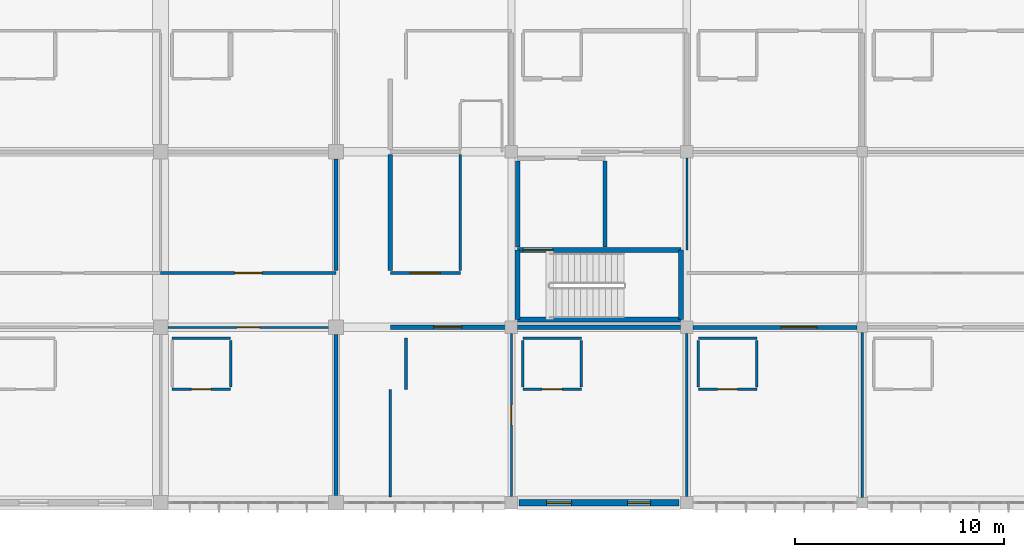
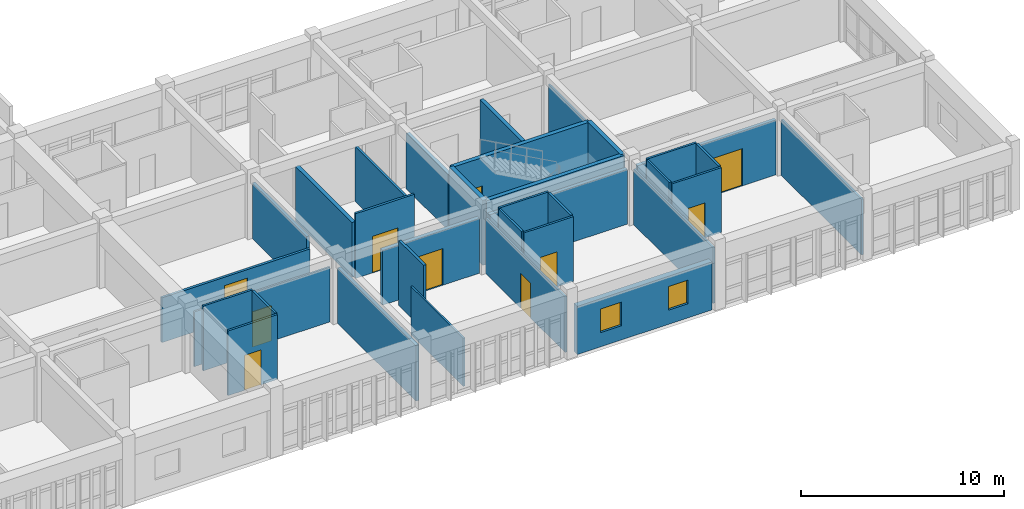
# One storey, part 95 of 119: 34 walls, 10 doors, 2 windows, 12 openings.
"""IFC4 building model written with IfcOpenShell, lengths in metres."""

from ifc_helpers import new_model, si_unit, direction, frame, frame_2d, origin, place, context, subcontext, project, spatial, rectangle, extrude, material, layer, layer_set, type_object, element, fill, save


model = new_model("IFC4")

# Units and contexts
model_context = context("Model", 3, precision=1e-05, world=origin(), true_north=direction((0.0, 1.0)))
body_context = subcontext(model_context, "Body", "Model", "MODEL_VIEW")
ifc_project = project(units=[si_unit("LENGTHUNIT", "METRE"), si_unit("AREAUNIT", "SQUARE_METRE"), si_unit("VOLUMEUNIT", "CUBIC_METRE"), si_unit("PLANEANGLEUNIT", "RADIAN"), si_unit("MASSUNIT", "GRAM", prefix="KILO")], contexts=[model_context])

# Site, building, storey
site_placement = place(None, origin())
site = spatial("IfcSite", under=ifc_project, at=site_placement, CompositionType="ELEMENT")
building_placement = place(site_placement, origin())
building = spatial("IfcBuilding", under=site, at=building_placement, Name="Bramfleet General Hospital", CompositionType="ELEMENT")
storey_placement = place(building_placement, frame((0.0, 0.0, 14.39990234375)))
storey = spatial("IfcBuildingStorey", under=building, at=storey_placement, Name="L03", CompositionType="ELEMENT", Elevation=14.39990234375)

# Wall, openings, windows
ifc_material_1 = material(Name="Precast concrete C40/50", Category="concrete")
ifc_layer_1 = layer(ifc_material_1, 0.31494140625, Name="WT-EW-04")
ifc_layer_set_1 = layer_set([ifc_layer_1], Name="Precast concrete C40/50")
wall_type_1 = type_object("IfcWallType", Name="WT-EW-04", PredefinedType="SOLIDWALL", material=ifc_layer_set_1)
wall_1_placement = place(storey_placement, frame((150.824951171875, 0.0, 0.0), z_axis=(0.0, 0.0, 1.0), x_axis=(-1.0, 0.0, 0.0)))
wall_1 = element("IfcWall", 1, at=wall_1_placement, inside=storey, type_object=wall_type_1, Name="L03 Exterior Wall 268", PredefinedType="SOLIDWALL", context=body_context, shape_type="SweptSolid", body=[
    extrude(rectangle(XDim=7.64990234375, YDim=0.31494140625, at=frame_2d((3.824951171875, 0.0))), origin(), (0.0, 0.0, 1.0), 2.89013671875),
])
opening_1_placement = place(wall_1_placement, frame((1.362548828125, 0.0, 0.85009765625)))
opening_1 = element("IfcOpeningElement", 2, at=opening_1_placement, cuts=wall_1, Name="Opening W-12", PredefinedType="OPENING", context=body_context, shape_type="SweptSolid", body=[
    extrude(rectangle(XDim=1.10009765625, YDim=1.419921875, at=frame_2d((0.550048828125, 0.7099609375))), frame((0.0, 0.16748046875, 0.0), z_axis=(0.0, -1.0, 0.0), x_axis=(1.0, 0.0, 0.0)), (0.0, 0.0, 1.0), 0.3349609375),
])
opening_2_placement = place(wall_1_placement, frame((5.137451171875, 0.0, 0.85009765625)))
opening_2 = element("IfcOpeningElement", 3, at=opening_2_placement, cuts=wall_1, Name="Opening W-13", PredefinedType="OPENING", context=body_context, shape_type="SweptSolid", body=[
    extrude(rectangle(XDim=1.199951171875, YDim=1.419921875, at=frame_2d((0.60009765625, 0.7099609375))), frame((0.0, 0.16748046875, 0.0), z_axis=(0.0, -1.0, 0.0), x_axis=(1.0, 0.0, 0.0)), (0.0, 0.0, 1.0), 0.3349609375),
])
ifc_material_2 = material(Name="Anodised aluminium and low-E triple glazing", Category="aluminium")
window_type_1 = type_object("IfcWindowType", Name="WIN-W-12", PartitioningType="SINGLE_PANEL", PredefinedType="WINDOW", material=ifc_material_2)
window_1_placement = place(opening_1_placement, origin())
window_1 = element("IfcWindow", 4, at=window_1_placement, inside=storey, type_object=window_type_1, Name="L03 Facade Window WIN-L03-268-1", OverallHeight=1.419921875, OverallWidth=1.10009765625, PartitioningType="SINGLE_PANEL", PredefinedType="WINDOW", context=body_context, shape_type="SweptSolid", body=[
    extrude(rectangle(XDim=1.10009765625, YDim=1.419921875, at=frame_2d((0.550048828125, 0.7099609375))), frame((0.0, 0.030029296875, 0.0), z_axis=(0.0, -1.0, 0.0), x_axis=(1.0, 0.0, 0.0)), (0.0, 0.0, 1.0), 0.06005859375),
])
fill(opening_1, window_1)
window_type_2 = type_object("IfcWindowType", Name="WIN-W-13", PartitioningType="SINGLE_PANEL", PredefinedType="WINDOW", material=ifc_material_2)
window_2_placement = place(opening_2_placement, origin())
window_2 = element("IfcWindow", 5, at=window_2_placement, inside=storey, type_object=window_type_2, Name="L03 Facade Window WIN-L03-268-2", OverallHeight=1.419921875, OverallWidth=1.199951171875, PartitioningType="SINGLE_PANEL", PredefinedType="WINDOW", context=body_context, shape_type="SweptSolid", body=[
    extrude(rectangle(XDim=1.199951171875, YDim=1.419921875, at=frame_2d((0.60009765625, 0.7099609375))), frame((0.0, 0.030029296875, 0.0), z_axis=(0.0, -1.0, 0.0), x_axis=(1.0, 0.0, 0.0)), (0.0, 0.0, 1.0), 0.06005859375),
])
fill(opening_2, window_2)

# Wall, opening, door
ifc_material_3 = material(Name="Concrete C35/45", Category="concrete")
ifc_layer_2 = layer(ifc_material_3, 0.219970703125, Name="WT-IW-01")
ifc_layer_set_2 = layer_set([ifc_layer_2], Name="Concrete C35/45")
wall_type_2 = type_object("IfcWallType", Name="WT-IW-01", PredefinedType="PARTITIONING", material=ifc_layer_set_2)
wall_2_placement = place(storey_placement, frame((137.0, 8.39990234375, 0.0), z_axis=(0.0, 0.0, 1.0), x_axis=(1.0, 0.0, 0.0)))
wall_2 = element("IfcWall", 6, at=wall_2_placement, inside=storey, type_object=wall_type_2, Name="L03 Interior Partition IW-L03-2473", PredefinedType="PARTITIONING", context=body_context, shape_type="SweptSolid", body=[
    extrude(rectangle(XDim=5.5048828125, YDim=0.219970703125, at=frame_2d((2.75244140625, 0.0))), origin(), (0.0, 0.0, 1.0), 3.2900390625),
])
opening_3_placement = place(wall_2_placement, frame((2.077392578125, 0.0, 0.0)))
opening_3 = element("IfcOpeningElement", 7, at=opening_3_placement, cuts=wall_2, Name="Opening D1186", PredefinedType="OPENING", context=body_context, shape_type="SweptSolid", body=[
    extrude(rectangle(XDim=1.35009765625, YDim=2.199951171875, at=frame_2d((0.675048828125, 1.10009765625))), frame((0.0, 0.119873046875, 0.0), z_axis=(0.0, -1.0, 0.0), x_axis=(1.0, 0.0, 0.0)), (0.0, 0.0, 1.0), 0.239990234375),
])
ifc_material_4 = material(Name="Stainless steel and acoustic timber leaf", Category="steel")
door_type_1 = type_object("IfcDoorType", Name="DR-D-02", OperationType="NOTDEFINED", PredefinedType="DOOR", material=ifc_material_4)
door_1_placement = place(opening_3_placement, origin())
door_1 = element("IfcDoor", 8, at=door_1_placement, inside=storey, type_object=door_type_1, Name="Paediatric Ward Bedroom L03-1600 Door D1186", OperationType="SINGLE_SWING_LEFT", OverallHeight=2.199951171875, OverallWidth=1.35009765625, PredefinedType="DOOR", context=body_context, shape_type="SweptSolid", body=[
    extrude(rectangle(XDim=1.35009765625, YDim=2.199951171875, at=frame_2d((0.675048828125, 1.10009765625))), frame((0.0, 0.02490234375, 0.0), z_axis=(0.0, -1.0, 0.0), x_axis=(1.0, 0.0, 0.0)), (0.0, 0.0, 1.0), 0.050048828125),
])
fill(opening_3, door_1)

# Walls
wall_3_placement = place(storey_placement, frame((137.0, 11.114990234375, 0.0), z_axis=(0.0, 0.0, 1.0), x_axis=(0.0, 1.0, 0.0)))
element("IfcWall", 9, at=wall_3_placement, inside=storey, type_object=wall_type_2, Name="L03 Interior Partition IW-L03-3025", PredefinedType="PARTITIONING", context=body_context, shape_type="SweptSolid", body=[
    extrude(rectangle(XDim=5.570068359375, YDim=0.219970703125, at=frame_2d((2.78515625, 0.0))), origin(), (0.0, 0.0, 1.0), 3.2900390625),
])
ifc_layer_3 = layer(ifc_material_3, 0.205078125, Name="WT-IW-02")
ifc_layer_set_3 = layer_set([ifc_layer_3], Name="Concrete C35/45")
wall_type_3 = type_object("IfcWallType", Name="WT-IW-02", PredefinedType="PARTITIONING", material=ifc_layer_set_3)
wall_4_placement = place(storey_placement, frame((147.280029296875, 12.239990234375, 0.0), z_axis=(0.0, 0.0, 1.0), x_axis=(0.0, 1.0, 0.0)))
element("IfcWall", 10, at=wall_4_placement, inside=storey, type_object=wall_type_3, Name="L03 C10 Lobby East Shaft Wall", PredefinedType="PARTITIONING", context=body_context, shape_type="SweptSolid", body=[
    extrude(rectangle(XDim=4.1201171875, YDim=0.205078125, at=frame_2d((2.06005859375, 0.0))), origin(), (0.0, 0.0, 1.0), 3.89013671875),
])
wall_5_placement = place(storey_placement, frame((143.10009765625, 12.239990234375, 0.0), z_axis=(0.0, 0.0, 1.0), x_axis=(0.0, 1.0, 0.0)))
element("IfcWall", 11, at=wall_5_placement, inside=storey, type_object=wall_type_3, Name="L03 C10 Lobby West Compartment Wall", PredefinedType="PARTITIONING", context=body_context, shape_type="SweptSolid", body=[
    extrude(rectangle(XDim=4.1201171875, YDim=0.205078125, at=frame_2d((2.06005859375, 0.0))), origin(), (0.0, 0.0, 1.0), 3.340087890625),
])
wall_6_placement = place(storey_placement, frame((143.094970703125, 8.39990234375, 0.0), z_axis=(0.0, 0.0, 1.0), x_axis=(1.0, 0.0, 0.0)))
element("IfcWall", 12, at=wall_6_placement, inside=storey, type_object=wall_type_3, Name="L03 Interior Partition IW-L03-2474", PredefinedType="PARTITIONING", context=body_context, shape_type="SweptSolid", body=[
    extrude(rectangle(XDim=7.81005859375, YDim=0.205078125, at=frame_2d((3.905029296875, 0.0))), origin(), (0.0, 0.0, 1.0), 3.2900390625),
])

# Wall, opening, door
ifc_layer_4 = layer(ifc_material_3, 0.18994140625, Name="WT-IW-03")
ifc_layer_set_4 = layer_set([ifc_layer_4], Name="Concrete C35/45")
wall_type_4 = type_object("IfcWallType", Name="WT-IW-03", PredefinedType="PARTITIONING", material=ifc_layer_set_4)
wall_7_placement = place(storey_placement, frame((151.4951171875, 8.39990234375, 0.0), z_axis=(0.0, 0.0, 1.0), x_axis=(1.0, 0.0, 0.0)))
wall_7 = element("IfcWall", 13, at=wall_7_placement, inside=storey, type_object=wall_type_4, Name="L03 Interior Partition IW-L03-2475", PredefinedType="PARTITIONING", context=body_context, shape_type="SweptSolid", body=[
    extrude(rectangle(XDim=7.85986328125, YDim=0.18994140625, at=frame_2d((3.929931640625, 0.0))), origin(), (0.0, 0.0, 1.0), 3.2900390625),
])
opening_4_placement = place(wall_7_placement, frame((4.202880859375, 0.0, 0.0)))
opening_4 = element("IfcOpeningElement", 14, at=opening_4_placement, cuts=wall_7, Name="Opening D1203", PredefinedType="OPENING", context=body_context, shape_type="SweptSolid", body=[
    extrude(rectangle(XDim=1.739990234375, YDim=2.239990234375, at=frame_2d((0.8701171875, 1.1201171875))), frame((0.0, 0.10498046875, 0.0), z_axis=(0.0, -1.0, 0.0), x_axis=(1.0, 0.0, 0.0)), (0.0, 0.0, 1.0), 0.2099609375),
])
door_type_2 = type_object("IfcDoorType", Name="DR-D-19", OperationType="NOTDEFINED", PredefinedType="DOOR", material=ifc_material_4)
door_2_placement = place(opening_4_placement, origin())
door_2 = element("IfcDoor", 15, at=door_2_placement, inside=storey, type_object=door_type_2, Name="Paediatric Ward Bedroom L03-1800 Door D1203", OperationType="DOUBLE_SWING_RIGHT", OverallHeight=2.239990234375, OverallWidth=1.739990234375, PredefinedType="DOOR", context=body_context, shape_type="SweptSolid", body=[
    extrude(rectangle(XDim=1.739990234375, YDim=2.239990234375, at=frame_2d((0.8701171875, 1.1201171875))), frame((0.0, 0.02490234375, 0.0), z_axis=(0.0, -1.0, 0.0), x_axis=(1.0, 0.0, 0.0)), (0.0, 0.0, 1.0), 0.050048828125),
])
fill(opening_4, door_2)

# Walls
ifc_layer_5 = layer(ifc_material_3, 0.179931640625, Name="WT-IW-04")
ifc_layer_set_5 = layer_set([ifc_layer_5], Name="Concrete C35/45")
wall_type_5 = type_object("IfcWallType", Name="WT-IW-04", PredefinedType="PARTITIONING", material=ifc_layer_set_5)
wall_8_placement = place(storey_placement, frame((134.39990234375, 0.344970703125, 0.0), z_axis=(0.0, 0.0, 1.0), x_axis=(0.0, 1.0, 0.0)))
element("IfcWall", 16, at=wall_8_placement, inside=storey, type_object=wall_type_5, Name="L03 Interior Partition IW-L03-3016", PredefinedType="PARTITIONING", context=body_context, shape_type="SweptSolid", body=[
    extrude(rectangle(XDim=7.7099609375, YDim=0.179931640625, at=frame_2d((3.85498046875, 0.0))), origin(), (0.0, 0.0, 1.0), 3.340087890625),
])
ifc_material_5 = material(Name="Gypsum plasterboard on acoustic steel studs", Category="steel")
ifc_layer_6 = layer(ifc_material_5, 0.169921875, Name="WT-IW-05")
ifc_layer_set_6 = layer_set([ifc_layer_6], Name="Gypsum plasterboard on acoustic steel studs")
wall_type_6 = type_object("IfcWallType", Name="WT-IW-05", PredefinedType="PARTITIONING", material=ifc_layer_set_6)
wall_9_placement = place(storey_placement, frame((134.39990234375, 11.114990234375, 0.0), z_axis=(0.0, 0.0, 1.0), x_axis=(0.0, 1.0, 0.0)))
element("IfcWall", 17, at=wall_9_placement, inside=storey, type_object=wall_type_6, Name="L03 Interior Partition IW-L03-3017", PredefinedType="PARTITIONING", context=body_context, shape_type="SweptSolid", body=[
    extrude(rectangle(XDim=5.340087890625, YDim=0.169921875, at=frame_2d((2.669921875, 0.0))), origin(), (0.0, 0.0, 1.0), 3.340087890625),
])
ifc_layer_7 = layer(ifc_material_5, 0.14990234375, Name="WT-IW-07")
ifc_layer_set_7 = layer_set([ifc_layer_7], Name="Gypsum plasterboard on acoustic steel studs")
wall_type_7 = type_object("IfcWallType", Name="WT-IW-07", PredefinedType="PARTITIONING", material=ifc_layer_set_7)
wall_10_placement = place(storey_placement, frame((137.75, 5.429931640625, 0.0), z_axis=(0.0, 0.0, 1.0), x_axis=(0.0, 1.0, 0.0)))
element("IfcWall", 18, at=wall_10_placement, inside=storey, type_object=wall_type_7, Name="L03 Interior Partition IW-L03-3031", PredefinedType="PARTITIONING", context=body_context, shape_type="SweptSolid", body=[
    extrude(rectangle(XDim=2.449951171875, YDim=0.14990234375, at=frame_2d((1.22509765625, 0.0))), origin(), (0.0, 0.0, 1.0), 3.89013671875),
])

# Wall, opening, door
ifc_layer_8 = layer(ifc_material_5, 0.139892578125, Name="WT-IW-08")
ifc_layer_set_8 = layer_set([ifc_layer_8], Name="Gypsum plasterboard on acoustic steel studs")
wall_type_8 = type_object("IfcWallType", Name="WT-IW-08", PredefinedType="PARTITIONING", material=ifc_layer_set_8)
wall_11_placement = place(storey_placement, frame((126.0, 11.0, 0.0), z_axis=(0.0, 0.0, 1.0), x_axis=(1.0, 0.0, 0.0)))
wall_11 = element("IfcWall", 19, at=wall_11_placement, inside=storey, type_object=wall_type_8, Name="L03 Interior Partition IW-L03-2480", PredefinedType="PARTITIONING", context=body_context, shape_type="SweptSolid", body=[
    extrude(rectangle(XDim=8.39990234375, YDim=0.139892578125, at=frame_2d((4.199951171875, 0.0))), origin(), (0.0, 0.0, 1.0), 2.690185546875),
])
opening_5_placement = place(wall_11_placement, frame((3.5400390625, 0.0, 0.0)))
opening_5 = element("IfcOpeningElement", 20, at=opening_5_placement, cuts=wall_11, Name="Opening D1176", PredefinedType="OPENING", context=body_context, shape_type="SweptSolid", body=[
    extrude(rectangle(XDim=1.320068359375, YDim=2.179931640625, at=frame_2d((0.66015625, 1.08984375))), frame((0.0, 0.079833984375, 0.0), z_axis=(0.0, -1.0, 0.0), x_axis=(1.0, 0.0, 0.0)), (0.0, 0.0, 1.0), 0.159912109375),
])
door_type_3 = type_object("IfcDoorType", Name="DR-D-24", OperationType="NOTDEFINED", PredefinedType="DOOR", material=ifc_material_4)
door_3_placement = place(opening_5_placement, origin())
door_3 = element("IfcDoor", 21, at=door_3_placement, inside=storey, type_object=door_type_3, Name="Paediatric Nurse Station and Play Lounge L03-1501 Door D1176", OperationType="SINGLE_SWING_LEFT", OverallHeight=2.179931640625, OverallWidth=1.320068359375, PredefinedType="DOOR", context=body_context, shape_type="SweptSolid", body=[
    extrude(rectangle(XDim=1.320068359375, YDim=2.179931640625, at=frame_2d((0.66015625, 1.08984375))), frame((0.0, 0.02490234375, 0.0), z_axis=(0.0, -1.0, 0.0), x_axis=(1.0, 0.0, 0.0)), (0.0, 0.0, 1.0), 0.050048828125),
])
fill(opening_5, door_3)

ifc_layer_9 = layer(ifc_material_5, 0.1298828125, Name="WT-IW-09")
ifc_layer_set_9 = layer_set([ifc_layer_9], Name="Gypsum plasterboard on acoustic steel studs")
wall_type_9 = type_object("IfcWallType", Name="WT-IW-09", PredefinedType="PARTITIONING", material=ifc_layer_set_9)
wall_12_placement = place(storey_placement, frame((137.0, 11.0, 0.0), z_axis=(0.0, 0.0, 1.0), x_axis=(1.0, 0.0, 0.0)))
wall_12 = element("IfcWall", 22, at=wall_12_placement, inside=storey, type_object=wall_type_9, Name="L03 Interior Partition IW-L03-2481", PredefinedType="PARTITIONING", context=body_context, shape_type="SweptSolid", body=[
    extrude(rectangle(XDim=3.35009765625, YDim=0.1298828125, at=frame_2d((1.675048828125, 0.0))), origin(), (0.0, 0.0, 1.0), 3.89013671875),
])
opening_6_placement = place(wall_12_placement, frame((0.949951171875, 0.0, 0.0)))
opening_6 = element("IfcOpeningElement", 23, at=opening_6_placement, cuts=wall_12, Name="Opening D1187", PredefinedType="OPENING", context=body_context, shape_type="SweptSolid", body=[
    extrude(rectangle(XDim=1.449951171875, YDim=2.199951171875, at=frame_2d((0.72509765625, 1.10009765625))), frame((0.0, 0.074951171875, 0.0), z_axis=(0.0, -1.0, 0.0), x_axis=(1.0, 0.0, 0.0)), (0.0, 0.0, 1.0), 0.14990234375),
])
door_type_4 = type_object("IfcDoorType", Name="DR-D-03", OperationType="NOTDEFINED", PredefinedType="DOOR", material=ifc_material_4)
door_4_placement = place(opening_6_placement, origin())
door_4 = element("IfcDoor", 24, at=door_4_placement, inside=storey, type_object=door_type_4, Name="Paediatric Nurse Station and Play Lounge L03-1601 Door D1187", OperationType="SINGLE_SWING_RIGHT", OverallHeight=2.199951171875, OverallWidth=1.449951171875, PredefinedType="DOOR", context=body_context, shape_type="SweptSolid", body=[
    extrude(rectangle(XDim=1.449951171875, YDim=2.199951171875, at=frame_2d((0.72509765625, 1.10009765625))), frame((0.0, 0.02490234375, 0.0), z_axis=(0.0, -1.0, 0.0), x_axis=(1.0, 0.0, 0.0)), (0.0, 0.0, 1.0), 0.050048828125),
])
fill(opening_6, door_4)

# Wall
wall_13_placement = place(storey_placement, frame((140.35009765625, 11.114990234375, 0.0), z_axis=(0.0, 0.0, 1.0), x_axis=(0.0, 1.0, 0.0)))
element("IfcWall", 25, at=wall_13_placement, inside=storey, type_object=wall_type_9, Name="L03 Interior Partition IW-L03-3033", PredefinedType="PARTITIONING", context=body_context, shape_type="SweptSolid", body=[
    extrude(rectangle(XDim=5.570068359375, YDim=0.1298828125, at=frame_2d((2.78515625, 0.0))), origin(), (0.0, 0.0, 1.0), 3.2900390625),
])

# Wall, opening, door
ifc_layer_10 = layer(ifc_material_5, 0.1201171875, Name="WT-IW-10")
ifc_layer_set_10 = layer_set([ifc_layer_10], Name="Gypsum plasterboard on acoustic steel studs")
wall_type_10 = type_object("IfcWallType", Name="WT-IW-10", PredefinedType="PARTITIONING", material=ifc_layer_set_10)
wall_14_placement = place(storey_placement, frame((126.550048828125, 5.429931640625, 0.0), z_axis=(0.0, 0.0, 1.0), x_axis=(1.0, 0.0, 0.0)))
wall_14 = element("IfcWall", 26, at=wall_14_placement, inside=storey, type_object=wall_type_10, Name="L03 Interior Partition IW-L03-2457", PredefinedType="PARTITIONING", context=body_context, shape_type="SweptSolid", body=[
    extrude(rectangle(XDim=2.800048828125, YDim=0.1201171875, at=frame_2d((1.39990234375, 0.0))), origin(), (0.0, 0.0, 1.0), 3.89013671875),
])
opening_7_placement = place(wall_14_placement, frame((0.925048828125, 0.0, 0.0)))
opening_7 = element("IfcOpeningElement", 27, at=opening_7_placement, cuts=wall_14, Name="Opening D1175", PredefinedType="OPENING", context=body_context, shape_type="SweptSolid", body=[
    extrude(rectangle(XDim=0.949951171875, YDim=2.10009765625, at=frame_2d((0.47509765625, 1.050048828125))), frame((0.0, 0.070068359375, 0.0), z_axis=(0.0, -1.0, 0.0), x_axis=(1.0, 0.0, 0.0)), (0.0, 0.0, 1.0), 0.14013671875),
])
door_type_5 = type_object("IfcDoorType", Name="DR-D-10", OperationType="NOTDEFINED", PredefinedType="DOOR", material=ifc_material_4)
door_5_placement = place(opening_7_placement, origin())
door_5 = element("IfcDoor", 28, at=door_5_placement, inside=storey, type_object=door_type_5, Name="Paediatric En-Suite Bathroom L03-1500 Door D1175", OperationType="SINGLE_SWING_LEFT", OverallHeight=2.10009765625, OverallWidth=0.949951171875, PredefinedType="DOOR", context=body_context, shape_type="SweptSolid", body=[
    extrude(rectangle(XDim=0.949951171875, YDim=2.10009765625, at=frame_2d((0.47509765625, 1.050048828125))), frame((0.0, 0.02490234375, 0.0), z_axis=(0.0, -1.0, 0.0), x_axis=(1.0, 0.0, 0.0)), (0.0, 0.0, 1.0), 0.050048828125),
])
fill(opening_7, door_5)

wall_15_placement = place(storey_placement, frame((143.35009765625, 5.429931640625, 0.0), z_axis=(0.0, 0.0, 1.0), x_axis=(1.0, 0.0, 0.0)))
wall_15 = element("IfcWall", 29, at=wall_15_placement, inside=storey, type_object=wall_type_10, Name="L03 Interior Partition IW-L03-2458", PredefinedType="PARTITIONING", context=body_context, shape_type="SweptSolid", body=[
    extrude(rectangle(XDim=2.7998046875, YDim=0.1201171875, at=frame_2d((1.39990234375, 0.0))), origin(), (0.0, 0.0, 1.0), 3.89013671875),
])
opening_8_placement = place(wall_15_placement, frame((0.925048828125, 0.0, 0.0)))
opening_8 = element("IfcOpeningElement", 30, at=opening_8_placement, cuts=wall_15, Name="Opening D1195", PredefinedType="OPENING", context=body_context, shape_type="SweptSolid", body=[
    extrude(rectangle(XDim=0.949951171875, YDim=2.10009765625, at=frame_2d((0.47509765625, 1.050048828125))), frame((0.0, 0.070068359375, 0.0), z_axis=(0.0, -1.0, 0.0), x_axis=(1.0, 0.0, 0.0)), (0.0, 0.0, 1.0), 0.14013671875),
])
door_6_placement = place(opening_8_placement, origin())
door_6 = element("IfcDoor", 31, at=door_6_placement, inside=storey, type_object=door_type_5, Name="Paediatric En-Suite Bathroom L03-1700 Door D1195", OperationType="SINGLE_SWING_LEFT", OverallHeight=2.10009765625, OverallWidth=0.949951171875, PredefinedType="DOOR", context=body_context, shape_type="SweptSolid", body=[
    extrude(rectangle(XDim=0.949951171875, YDim=2.10009765625, at=frame_2d((0.47509765625, 1.050048828125))), frame((0.0, 0.02490234375, 0.0), z_axis=(0.0, -1.0, 0.0), x_axis=(1.0, 0.0, 0.0)), (0.0, 0.0, 1.0), 0.050048828125),
])
fill(opening_8, door_6)

wall_16_placement = place(storey_placement, frame((151.75, 5.429931640625, 0.0), z_axis=(0.0, 0.0, 1.0), x_axis=(1.0, 0.0, 0.0)))
wall_16 = element("IfcWall", 32, at=wall_16_placement, inside=storey, type_object=wall_type_10, Name="L03 Interior Partition IW-L03-2459", PredefinedType="PARTITIONING", context=body_context, shape_type="SweptSolid", body=[
    extrude(rectangle(XDim=2.800048828125, YDim=0.1201171875, at=frame_2d((1.39990234375, 0.0))), origin(), (0.0, 0.0, 1.0), 3.89013671875),
])
opening_9_placement = place(wall_16_placement, frame((0.925048828125, 0.0, 0.0)))
opening_9 = element("IfcOpeningElement", 33, at=opening_9_placement, cuts=wall_16, Name="Opening D1204", PredefinedType="OPENING", context=body_context, shape_type="SweptSolid", body=[
    extrude(rectangle(XDim=0.949951171875, YDim=2.10009765625, at=frame_2d((0.47509765625, 1.050048828125))), frame((0.0, 0.070068359375, 0.0), z_axis=(0.0, -1.0, 0.0), x_axis=(1.0, 0.0, 0.0)), (0.0, 0.0, 1.0), 0.14013671875),
])
door_7_placement = place(opening_9_placement, origin())
door_7 = element("IfcDoor", 34, at=door_7_placement, inside=storey, type_object=door_type_5, Name="Paediatric En-Suite Bathroom L03-1800 Door D1204", OperationType="SINGLE_SWING_LEFT", OverallHeight=2.10009765625, OverallWidth=0.949951171875, PredefinedType="DOOR", context=body_context, shape_type="SweptSolid", body=[
    extrude(rectangle(XDim=0.949951171875, YDim=2.10009765625, at=frame_2d((0.47509765625, 1.050048828125))), frame((0.0, 0.02490234375, 0.0), z_axis=(0.0, -1.0, 0.0), x_axis=(1.0, 0.0, 0.0)), (0.0, 0.0, 1.0), 0.050048828125),
])
fill(opening_9, door_7)

# Walls
wall_17_placement = place(storey_placement, frame((126.550048828125, 7.8798828125, 0.0), z_axis=(0.0, 0.0, 1.0), x_axis=(1.0, 0.0, 0.0)))
element("IfcWall", 35, at=wall_17_placement, inside=storey, type_object=wall_type_10, Name="L03 Interior Partition IW-L03-2464", PredefinedType="PARTITIONING", context=body_context, shape_type="SweptSolid", body=[
    extrude(rectangle(XDim=2.800048828125, YDim=0.1201171875, at=frame_2d((1.39990234375, 0.0))), origin(), (0.0, 0.0, 1.0), 3.89013671875),
])
wall_18_placement = place(storey_placement, frame((143.35009765625, 7.8798828125, 0.0), z_axis=(0.0, 0.0, 1.0), x_axis=(1.0, 0.0, 0.0)))
element("IfcWall", 36, at=wall_18_placement, inside=storey, type_object=wall_type_10, Name="L03 Interior Partition IW-L03-2465", PredefinedType="PARTITIONING", context=body_context, shape_type="SweptSolid", body=[
    extrude(rectangle(XDim=2.7998046875, YDim=0.1201171875, at=frame_2d((1.39990234375, 0.0))), origin(), (0.0, 0.0, 1.0), 3.89013671875),
])
wall_19_placement = place(storey_placement, frame((151.75, 7.8798828125, 0.0), z_axis=(0.0, 0.0, 1.0), x_axis=(1.0, 0.0, 0.0)))
element("IfcWall", 37, at=wall_19_placement, inside=storey, type_object=wall_type_10, Name="L03 Interior Partition IW-L03-2466", PredefinedType="PARTITIONING", context=body_context, shape_type="SweptSolid", body=[
    extrude(rectangle(XDim=2.800048828125, YDim=0.1201171875, at=frame_2d((1.39990234375, 0.0))), origin(), (0.0, 0.0, 1.0), 3.89013671875),
])
for number, where, z_axis, x_axis, name in (
    (38, (129.35009765625, 5.544921875, 0.0), (0.0, 0.0, 1.0), (0.0, 1.0, 0.0), "L03 Interior Partition IW-L03-3012"),
    (39, (143.35009765625, 5.544921875, 0.0), (0.0, 0.0, 1.0), (0.0, 1.0, 0.0), "L03 Interior Partition IW-L03-3043"),
    (40, (146.14990234375, 5.544921875, 0.0), (0.0, 0.0, 1.0), (0.0, 1.0, 0.0), "L03 Interior Partition IW-L03-3045"),
    (41, (151.75, 5.544921875, 0.0), (0.0, 0.0, 1.0), (0.0, 1.0, 0.0), "L03 Interior Partition IW-L03-3055"),
    (42, (154.550048828125, 5.544921875, 0.0), (0.0, 0.0, 1.0), (0.0, 1.0, 0.0), "L03 Interior Partition IW-L03-3057"),
):
    element("IfcWall", number, at=place(storey_placement, frame(where, z_axis=z_axis, x_axis=x_axis)), inside=storey, type_object=wall_type_10, Name=name, PredefinedType="PARTITIONING", context=body_context, shape_type="SweptSolid", body=[
        extrude(rectangle(XDim=2.219970703125, YDim=0.1201171875, at=frame_2d((1.10986328125, 0.0))), origin(), (0.0, 0.0, 1.0), 3.89013671875),
    ])
ifc_layer_11 = layer(ifc_material_5, 0.112060546875, Name="WT-IW-11")
ifc_layer_set_11 = layer_set([ifc_layer_11], Name="Gypsum plasterboard on acoustic steel studs")
wall_type_11 = type_object("IfcWallType", Name="WT-IW-11", PredefinedType="PARTITIONING", material=ifc_layer_set_11)
wall_20_placement = place(storey_placement, frame((151.199951171875, 0.294921875, 0.0), z_axis=(0.0, 0.0, 1.0), x_axis=(0.0, 1.0, 0.0)))
element("IfcWall", 43, at=wall_20_placement, inside=storey, type_object=wall_type_11, Name="L03 Interior Partition IW-L03-3047", PredefinedType="PARTITIONING", context=body_context, shape_type="SweptSolid", body=[
    extrude(rectangle(XDim=7.81005859375, YDim=0.112060546875, at=frame_2d((3.905029296875, 0.0))), origin(), (0.0, 0.0, 1.0), 3.340087890625),
])
wall_21_placement = place(storey_placement, frame((159.60009765625, 0.2451171875, 0.0), z_axis=(0.0, 0.0, 1.0), x_axis=(0.0, 1.0, 0.0)))
element("IfcWall", 44, at=wall_21_placement, inside=storey, type_object=wall_type_11, Name="L03 Interior Partition IW-L03-3059", PredefinedType="PARTITIONING", context=body_context, shape_type="SweptSolid", body=[
    extrude(rectangle(XDim=7.909912109375, YDim=0.112060546875, at=frame_2d((3.955078125, 0.0))), origin(), (0.0, 0.0, 1.0), 3.340087890625),
])

# Wall, opening, door
ifc_layer_12 = layer(ifc_material_5, 0.10009765625, Name="WT-IW-12")
ifc_layer_set_12 = layer_set([ifc_layer_12], Name="Gypsum plasterboard on acoustic steel studs")
wall_type_12 = type_object("IfcWallType", Name="WT-IW-12", PredefinedType="PARTITIONING", material=ifc_layer_set_12)
wall_22_placement = place(storey_placement, frame((126.344970703125, 8.39990234375, 0.0), z_axis=(0.0, 0.0, 1.0), x_axis=(1.0, 0.0, 0.0)))
wall_22 = element("IfcWall", 45, at=wall_22_placement, inside=storey, type_object=wall_type_12, Name="L03 Interior Partition IW-L03-2472", PredefinedType="PARTITIONING", context=body_context, shape_type="SweptSolid", body=[
    extrude(rectangle(XDim=7.7099609375, YDim=0.10009765625, at=frame_2d((3.85498046875, 0.0))), origin(), (0.0, 0.0, 1.0), 3.2900390625),
])
opening_10_placement = place(wall_22_placement, frame((3.31494140625, 0.0, 0.0)))
opening_10 = element("IfcOpeningElement", 46, at=opening_10_placement, cuts=wall_22, Name="Opening D1174", PredefinedType="OPENING", context=body_context, shape_type="SweptSolid", body=[
    extrude(rectangle(XDim=1.080078125, YDim=2.1201171875, at=frame_2d((0.5400390625, 1.06005859375))), frame((0.0, 0.06005859375, 0.0), z_axis=(0.0, -1.0, 0.0), x_axis=(1.0, 0.0, 0.0)), (0.0, 0.0, 1.0), 0.1201171875),
])
door_type_6 = type_object("IfcDoorType", Name="DR-D-22", OperationType="NOTDEFINED", PredefinedType="DOOR", material=ifc_material_4)
door_8_placement = place(opening_10_placement, origin())
door_8 = element("IfcDoor", 47, at=door_8_placement, inside=storey, type_object=door_type_6, Name="Paediatric Ward Bedroom L03-1500 Door D1174", OperationType="SINGLE_SWING_LEFT", OverallHeight=2.1201171875, OverallWidth=1.080078125, PredefinedType="DOOR", context=body_context, shape_type="SweptSolid", body=[
    extrude(rectangle(XDim=1.080078125, YDim=2.1201171875, at=frame_2d((0.5400390625, 1.06005859375))), frame((0.0, 0.02490234375, 0.0), z_axis=(0.0, -1.0, 0.0), x_axis=(1.0, 0.0, 0.0)), (0.0, 0.0, 1.0), 0.050048828125),
])
fill(opening_10, door_8)

# Wall
wall_23_placement = place(storey_placement, frame((137.0, 0.280029296875, 0.0), z_axis=(0.0, 0.0, 1.0), x_axis=(0.0, 1.0, 0.0)))
element("IfcWall", 48, at=wall_23_placement, inside=storey, type_object=wall_type_12, Name="L03 Interior Partition IW-L03-3024", PredefinedType="PARTITIONING", context=body_context, shape_type="SweptSolid", body=[
    extrude(rectangle(XDim=5.14990234375, YDim=0.10009765625, at=frame_2d((2.574951171875, 0.0))), origin(), (0.0, 0.0, 1.0), 2.89013671875),
])

# Wall, opening, door
wall_24_placement = place(storey_placement, frame((142.800048828125, 0.294921875, 0.0), z_axis=(0.0, 0.0, 1.0), x_axis=(0.0, 1.0, 0.0)))
wall_24 = element("IfcWall", 49, at=wall_24_placement, inside=storey, type_object=wall_type_12, Name="L03 Interior Partition IW-L03-3036", PredefinedType="PARTITIONING", context=body_context, shape_type="SweptSolid", body=[
    extrude(rectangle(XDim=7.81005859375, YDim=0.10009765625, at=frame_2d((3.905029296875, 0.0))), origin(), (0.0, 0.0, 1.0), 3.340087890625),
])
opening_11_placement = place(wall_24_placement, frame((3.429931640625, 0.0, 0.0)))
opening_11 = element("IfcOpeningElement", 50, at=opening_11_placement, cuts=wall_24, Name="Opening D1194", PredefinedType="OPENING", context=body_context, shape_type="SweptSolid", body=[
    extrude(rectangle(XDim=0.949951171875, YDim=2.10009765625, at=frame_2d((0.47509765625, 1.050048828125))), frame((0.0, 0.06005859375, 0.0), z_axis=(0.0, -1.0, 0.0), x_axis=(1.0, 0.0, 0.0)), (0.0, 0.0, 1.0), 0.1201171875),
])
door_9_placement = place(opening_11_placement, origin())
door_9 = element("IfcDoor", 51, at=door_9_placement, inside=storey, type_object=door_type_5, Name="Paediatric Ward Bedroom L03-1700 Door D1194", OperationType="SINGLE_SWING_LEFT", OverallHeight=2.10009765625, OverallWidth=0.949951171875, PredefinedType="DOOR", context=body_context, shape_type="SweptSolid", body=[
    extrude(rectangle(XDim=0.949951171875, YDim=2.10009765625, at=frame_2d((0.47509765625, 1.050048828125))), frame((0.0, 0.02490234375, 0.0), z_axis=(0.0, -1.0, 0.0), x_axis=(1.0, 0.0, 0.0)), (0.0, 0.0, 1.0), 0.050048828125),
])
fill(opening_11, door_9)

# Walls
wall_25_placement = place(storey_placement, frame((151.199951171875, 12.10009765625, 0.0), z_axis=(0.0, 0.0, 1.0), x_axis=(0.0, 1.0, 0.0)))
element("IfcWall", 52, at=wall_25_placement, inside=storey, type_object=wall_type_12, Name="L03 Interior Partition IW-L03-3048", PredefinedType="PARTITIONING", context=body_context, shape_type="SweptSolid", body=[
    extrude(rectangle(XDim=4.40478515625, YDim=0.10009765625, at=frame_2d((2.202392578125, 0.0))), origin(), (0.0, 0.0, 1.0), 3.340087890625),
])
ifc_material_6 = material(Name="Concrete C40/50", Category="concrete")
ifc_layer_13 = layer(ifc_material_6, 0.239990234375, Name="WT-SW-240")
ifc_layer_set_13 = layer_set([ifc_layer_13], Name="Concrete C40/50")
wall_type_13 = type_object("IfcWallType", Name="WT-SW-240", PredefinedType="SHEAR", material=ifc_layer_set_13)
wall_26_placement = place(storey_placement, frame((143.10009765625, 8.780029296875, 0.0), z_axis=(0.0, 0.0, 1.0), x_axis=(1.0, 0.0, 0.0)))
element("IfcWall", 53, at=wall_26_placement, inside=storey, type_object=wall_type_13, Name="L03 C10 South Stair Shear Wall", PredefinedType="SHEAR", context=body_context, shape_type="SweptSolid", body=[
    extrude(rectangle(XDim=7.81982421875, YDim=0.239990234375, at=frame_2d((3.909912109375, 0.0))), origin(), (0.0, 0.0, 1.0), 3.900146484375),
])
for number, where, z_axis, x_axis, name in (
    (54, (143.10009765625, 8.780029296875, 0.0), (0.0, 0.0, 1.0), (0.0, 1.0, 0.0), "L03 C10 West Stair Shear Wall"),
    (55, (150.919921875, 8.780029296875, 0.0), (0.0, 0.0, 1.0), (0.0, 1.0, 0.0), "L03 C10 East Stair Shear Wall"),
):
    element("IfcWall", number, at=place(storey_placement, frame(where, z_axis=z_axis, x_axis=x_axis)), inside=storey, type_object=wall_type_13, Name=name, PredefinedType="SHEAR", context=body_context, shape_type="SweptSolid", body=[
        extrude(rectangle(XDim=3.320068359375, YDim=0.239990234375, at=frame_2d((1.66015625, 0.0))), origin(), (0.0, 0.0, 1.0), 3.900146484375),
    ])

# Wall, opening, door
wall_27_placement = place(storey_placement, frame((143.10009765625, 12.10009765625, 0.0), z_axis=(0.0, 0.0, 1.0), x_axis=(1.0, 0.0, 0.0)))
wall_27 = element("IfcWall", 56, at=wall_27_placement, inside=storey, type_object=wall_type_13, Name="L03 C10 Stair-Lobby Shear Wall", PredefinedType="SHEAR", context=body_context, shape_type="SweptSolid", body=[
    extrude(rectangle(XDim=7.81982421875, YDim=0.239990234375, at=frame_2d((3.909912109375, 0.0))), origin(), (0.0, 0.0, 1.0), 3.900146484375),
])
opening_12_placement = place(wall_27_placement, frame((0.25, 0.0, 0.0)))
opening_12 = element("IfcOpeningElement", 57, at=opening_12_placement, cuts=wall_27, Name="Opening D0131", PredefinedType="OPENING", context=body_context, shape_type="SweptSolid", body=[
    extrude(rectangle(XDim=1.449951171875, YDim=2.199951171875, at=frame_2d((0.72509765625, 1.10009765625))), frame((0.0, 0.1298828125, 0.0), z_axis=(0.0, -1.0, 0.0), x_axis=(1.0, 0.0, 0.0)), (0.0, 0.0, 1.0), 0.260009765625),
])
door_10_placement = place(opening_12_placement, origin())
door_10 = element("IfcDoor", 58, at=door_10_placement, inside=storey, type_object=door_type_4, Name="L03 C10 Escape Stair Fire Door D0131", OperationType="SINGLE_SWING_RIGHT", OverallHeight=2.199951171875, OverallWidth=1.449951171875, PredefinedType="DOOR", context=body_context, shape_type="SweptSolid", body=[
    extrude(rectangle(XDim=1.449951171875, YDim=2.199951171875, at=frame_2d((0.72509765625, 1.10009765625))), frame((0.0, 0.02490234375, 0.0), z_axis=(0.0, -1.0, 0.0), x_axis=(1.0, 0.0, 0.0)), (0.0, 0.0, 1.0), 0.050048828125),
])
fill(opening_12, door_10)

save(model, "model.ifc")
